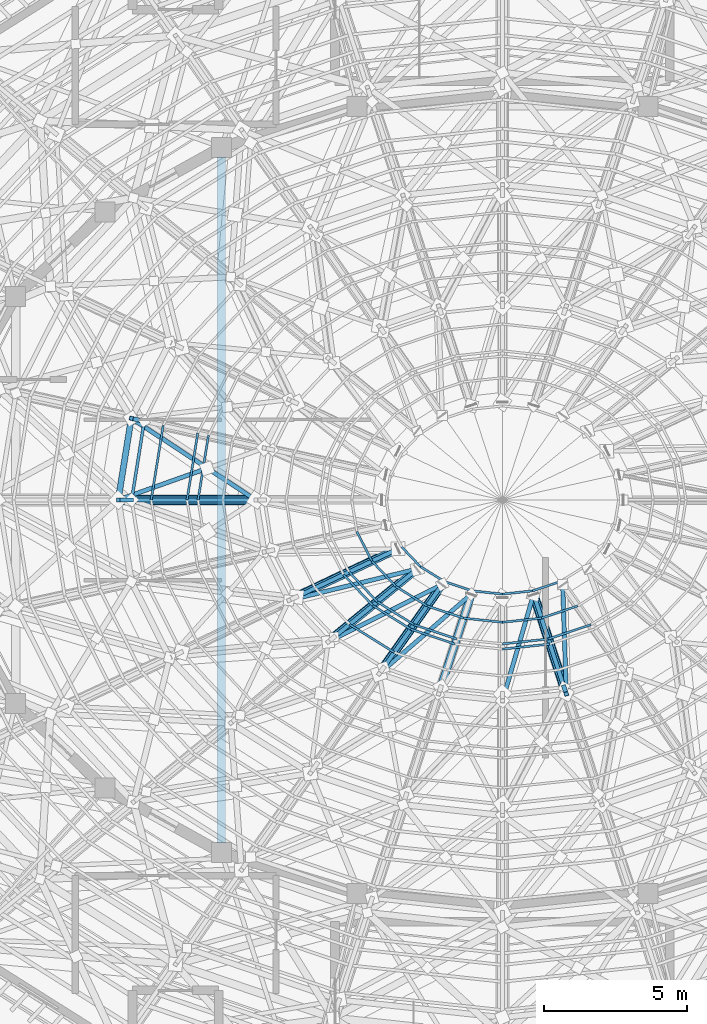
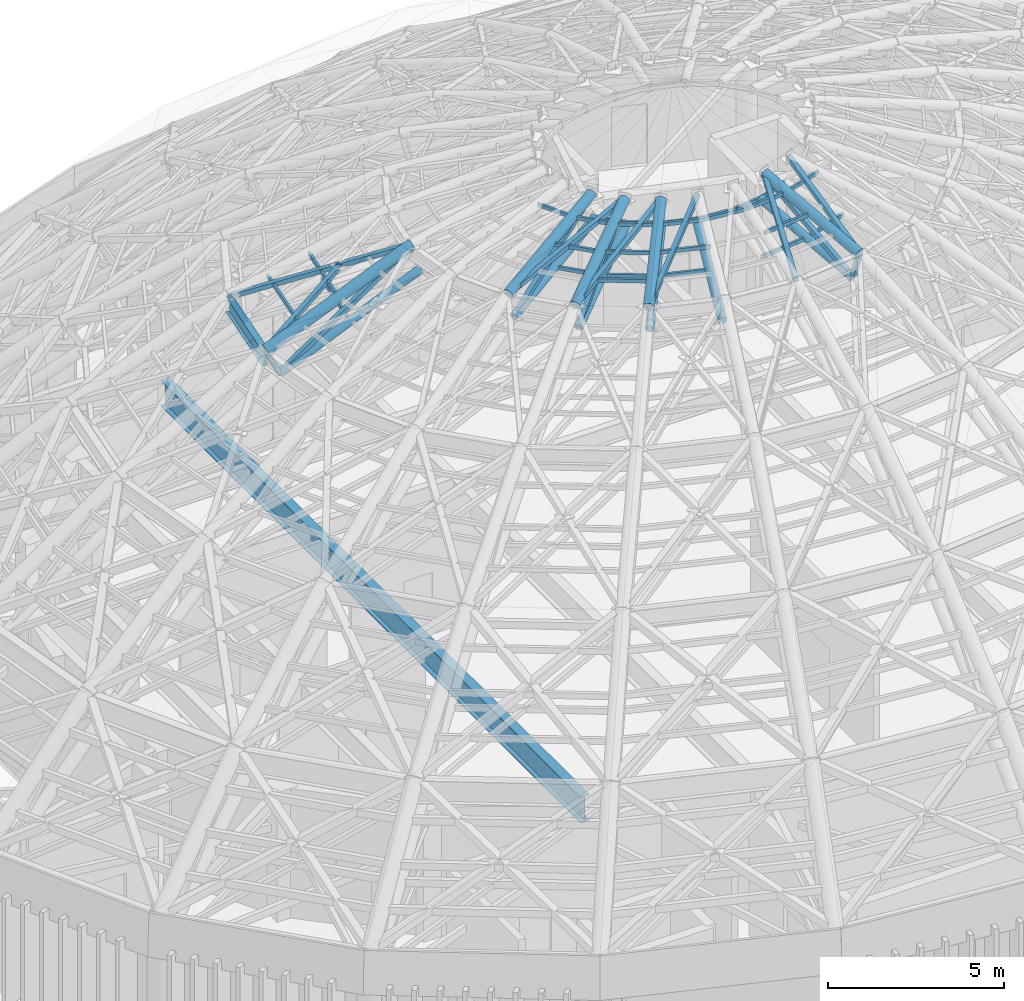
# One storey, part 11 of 50: 53 members, 2 beams.
"""IFC4 building model written with IfcOpenShell, lengths in metres."""

from ifc_helpers import new_model, si_unit, direction, frame, origin, origin_2d, place, context, subcontext, project, spatial, hollow_rectangle, hollow_circle, i_section, extrude, material, material_profile, profile_set, type_object, element, save


model = new_model("IFC4")

# Units and contexts
model_context = context("Model", 3, precision=1e-05, world=origin(), true_north=direction((0.0, 1.0)))
body_context = subcontext(model_context, "Body", "Model", "MODEL_VIEW")
ifc_project = project(units=[si_unit("LENGTHUNIT", "METRE"), si_unit("AREAUNIT", "SQUARE_METRE"), si_unit("VOLUMEUNIT", "CUBIC_METRE"), si_unit("PLANEANGLEUNIT", "RADIAN"), si_unit("MASSUNIT", "GRAM", prefix="KILO")], contexts=[model_context])

# Site, building, storey
site_placement = place(None, origin())
site = spatial("IfcSite", under=ifc_project, at=site_placement, CompositionType="ELEMENT")
building_placement = place(site_placement, origin())
building = spatial("IfcBuilding", under=site, at=building_placement, Name="Cinderbank Siding Concert Hall", CompositionType="ELEMENT")
storey_placement = place(building_placement, frame((0.0, 0.0, 23.699951171875)))
storey = spatial("IfcBuildingStorey", under=building, at=storey_placement, Name="L06", CompositionType="ELEMENT", Elevation=23.699951171875)

# Beams
ifc_material_1 = material(Name="Structural steel AS/NZS 3679.1 Grade 350 (340 MPa)", Category="steel")
ifc_material_profile_1 = material_profile(ifc_material_1, i_section(OverallWidth=0.208984375, OverallDepth=0.532958984375, WebThickness=0.01025390625, FlangeThickness=0.015625, at=origin_2d()), Name="530UB92.4", Category="LoadBearing")
ifc_profile_set_1 = profile_set([ifc_material_profile_1], Name="Structural steel AS/NZS 3679.1 Grade 350 (340 MPa)")
beam_type_1 = type_object("IfcBeamType", Name="BM-UB530H 530UB92.4", PredefinedType="BEAM", material=ifc_profile_set_1)
beam_1_placement = place(storey_placement, frame((109.056640625, 46.846923828125, 13.733642578125), z_axis=(-0.158340547868, -0.987384560797, 0.0), x_axis=(0.987384560797, -0.158340547868, 0.0)))
element("IfcBeam", 1, at=beam_1_placement, inside=storey, type_object=beam_type_1, Name="L06 Beam BM-UB530H #2081", PredefinedType="BEAM", context=body_context, shape_type="SweptSolid", body=[
    extrude(i_section(OverallWidth=0.208984375, OverallDepth=0.532958984375, WebThickness=0.01025390625, FlangeThickness=0.015625, at=origin_2d()), origin(), (0.0, 0.0, 1.0), 2.88330078125),
])
ifc_material_2 = material(Name="Structural steel welded plate section AS/NZS 3679.2 / AS/NZS 3678 Grade 350 (340 MPa)", Category="steel")
ifc_material_profile_2 = material_profile(ifc_material_2, i_section(OverallWidth=0.300048828125, OverallDepth=0.89990234375, WebThickness=0.013916015625, FlangeThickness=0.02490234375, at=origin_2d()), Name="900WB218", Category="LoadBearing")
ifc_profile_set_2 = profile_set([ifc_material_profile_2], Name="Structural steel welded plate section AS/NZS 3679.2 / AS/NZS 3678 Grade 350 (340 MPa)")
beam_type_2 = type_object("IfcBeamType", Name="BM-WB900 900WB218", PredefinedType="BEAM", material=ifc_profile_set_2)
beam_2_placement = place(storey_placement, frame((112.199951171875, 55.95556640625, 4.052001953125), z_axis=(0.0, -1.0, 0.0), x_axis=(1.0, 0.0, 0.0)))
element("IfcBeam", 2, at=beam_2_placement, inside=storey, type_object=beam_type_2, Name="L06 Beam BM-WB900 #126", PredefinedType="BEAM", context=body_context, shape_type="SweptSolid", body=[
    extrude(i_section(OverallWidth=0.300048828125, OverallDepth=0.89990234375, WebThickness=0.013916015625, FlangeThickness=0.02490234375, at=origin_2d()), origin(), (0.0, 0.0, 1.0), 23.9111328125),
])

# Members
ifc_material_3 = material(Name="Structural steel hollow section AS/NZS 1163 Grade C350L0 (350 MPa)", Category="steel")
ifc_material_profile_3 = material_profile(ifc_material_3, hollow_rectangle(XDim=0.14990234375, YDim=0.14990234375, WallThickness=0.008056640625, at=origin_2d()), Name="150x150x8.0SHS", Category="LoadBearing")
ifc_profile_set_3 = profile_set([ifc_material_profile_3], Name="Structural steel hollow section AS/NZS 1163 Grade C350L0 (350 MPa)")
member_type_1 = type_object("IfcMemberType", Name="BR-SHS150 150x150x8.0SHS Roof Truss", PredefinedType="BRACE", material=ifc_profile_set_3)
member_1_placement = place(storey_placement, frame((109.509521484375, 46.747314453125, 13.050048828125), z_axis=(-0.428423947592, 0.09423017284, 0.898650986566), x_axis=(-0.214811563111, -0.976655513655, 0.0)))
element("IfcMember", 3, at=member_1_placement, inside=storey, type_object=member_type_1, Name="L06 Diagonal Brace BR-SHS150 #DWBV-BR-SHS150-L06-1529", PredefinedType="BRACE", context=body_context, shape_type="SweptSolid", body=[
    extrude(hollow_rectangle(XDim=0.14990234375, YDim=0.14990234375, WallThickness=0.008056640625, at=origin_2d()), origin(), (0.0, 0.0, 1.0), 1.05712890625),
])
member_2_placement = place(storey_placement, frame((109.056640625, 46.846923828125, 14.0), z_axis=(0.780464451769, -0.511579312652, 0.359390938105), x_axis=(0.548206587498, 0.836342954429, 0.0)))
element("IfcMember", 4, at=member_2_placement, inside=storey, type_object=member_type_1, Name="L06 Diagonal Brace BR-SHS150 #DBRO-BR-SHS150-L06-1533", PredefinedType="BRACE", context=body_context, shape_type="SweptSolid", body=[
    extrude(hollow_rectangle(XDim=0.14990234375, YDim=0.14990234375, WallThickness=0.008056640625, at=origin_2d()), origin(), (0.0, 0.0, 1.0), 5.56494140625),
])
member_3_placement = place(storey_placement, frame((108.60009765625, 44.0, 14.0), z_axis=(0.883612715031, 0.314312671052, 0.347039067905), x_axis=(-0.33514148895, 0.942167810098, 0.0)))
element("IfcMember", 5, at=member_3_placement, inside=storey, type_object=member_type_1, Name="L06 Diagonal Brace BR-SHS150 #DBRO-BR-SHS150-L06-1534", PredefinedType="BRACE", context=body_context, shape_type="SweptSolid", body=[
    extrude(hollow_rectangle(XDim=0.14990234375, YDim=0.14990234375, WallThickness=0.008056640625, at=origin_2d()), origin(), (0.0, 0.0, 1.0), 3.506103515625),
])
member_4_placement = place(storey_placement, frame((109.069091796875, 44.0, 13.050048828125), z_axis=(0.826482557098, 0.0, 0.562962328058), x_axis=(0.0, 1.0, 0.0)))
element("IfcMember", 6, at=member_4_placement, inside=storey, type_object=member_type_1, Name="L06 Diagonal Brace BR-SHS150 #DWBD-BR-SHS150-L06-1538", PredefinedType="BRACE", context=body_context, shape_type="SweptSolid", body=[
    extrude(hollow_rectangle(XDim=0.14990234375, YDim=0.14990234375, WallThickness=0.008056640625, at=origin_2d()), origin(), (0.0, 0.0, 1.0), 5.239990234375),
])
member_5_placement = place(storey_placement, frame((109.069091796875, 44.0, 13.050048828125), z_axis=(-0.442691107218, 0.0, 0.89667417917), x_axis=(0.0, -1.0, 0.0)))
element("IfcMember", 7, at=member_5_placement, inside=storey, type_object=member_type_1, Name="L06 Diagonal Brace BR-SHS150 #DWBV-BR-SHS150-L06-1541", PredefinedType="BRACE", context=body_context, shape_type="SweptSolid", body=[
    extrude(hollow_rectangle(XDim=0.14990234375, YDim=0.14990234375, WallThickness=0.008056640625, at=origin_2d()), origin(), (0.0, 0.0, 1.0), 1.059326171875),
])
member_6_placement = place(storey_placement, frame((114.81298828125, 40.62255859375, 15.050048828125), z_axis=(0.801455569163, 0.378734609059, 0.462848859303), x_axis=(-0.427254861709, 0.904131231153, 0.0)))
element("IfcMember", 8, at=member_6_placement, inside=storey, type_object=member_type_1, Name="L06 Diagonal Brace BR-SHS150 #DWBD-BR-SHS150-L06-1822", PredefinedType="BRACE", context=body_context, shape_type="SweptSolid", body=[
    extrude(hollow_rectangle(XDim=0.14990234375, YDim=0.14990234375, WallThickness=0.008056640625, at=origin_2d()), origin(), (0.0, 0.0, 1.0), 4.42919921875),
])
member_7_placement = place(storey_placement, frame((114.55224609375, 40.5, 16.0), z_axis=(0.944817527573, 0.231182044692, 0.232109245406), x_axis=(-0.237672958918, 0.971345234507, 0.0)))
element("IfcMember", 9, at=member_7_placement, inside=storey, type_object=member_type_1, Name="L06 Diagonal Brace BR-SHS150 #DBRO-BR-SHS150-L06-1829", PredefinedType="BRACE", context=body_context, shape_type="SweptSolid", body=[
    extrude(hollow_rectangle(XDim=0.14990234375, YDim=0.14990234375, WallThickness=0.008056640625, at=origin_2d()), origin(), (0.0, 0.0, 1.0), 4.739501953125),
])
member_8_placement = place(storey_placement, frame((116.131591796875, 39.223388671875, 15.050048828125), z_axis=(0.67884757642, 0.555576678184, 0.480104699672), x_axis=(-0.633344264796, 0.773870171444, 0.0)))
element("IfcMember", 10, at=member_8_placement, inside=storey, type_object=member_type_1, Name="L06 Diagonal Brace BR-SHS150 #DWBD-BR-SHS150-L06-1832", PredefinedType="BRACE", context=body_context, shape_type="SweptSolid", body=[
    extrude(hollow_rectangle(XDim=0.14990234375, YDim=0.14990234375, WallThickness=0.008056640625, at=origin_2d()), origin(), (0.0, 0.0, 1.0), 4.27001953125),
])
member_9_placement = place(storey_placement, frame((115.9189453125, 39.05029296875, 16.0), z_axis=(0.867091401896, 0.436736273995, 0.239612035873), x_axis=(-0.449840709475, 0.893108804177, 0.0)))
element("IfcMember", 11, at=member_9_placement, inside=storey, type_object=member_type_1, Name="L06 Diagonal Brace BR-SHS150 #DBRO-BR-SHS150-L06-1839", PredefinedType="BRACE", context=body_context, shape_type="SweptSolid", body=[
    extrude(hollow_rectangle(XDim=0.14990234375, YDim=0.14990234375, WallThickness=0.008056640625, at=origin_2d()), origin(), (0.0, 0.0, 1.0), 4.591064453125),
])
member_10_placement = place(storey_placement, frame((117.8505859375, 38.14990234375, 15.050048828125), z_axis=(0.499322174283, 0.707938193489, 0.4995006311), x_axis=(-0.817184743141, 0.576375828412, 0.0)))
element("IfcMember", 12, at=member_10_placement, inside=storey, type_object=member_type_1, Name="L06 Diagonal Brace BR-SHS150 #DWBD-BR-SHS150-L06-1842", PredefinedType="BRACE", context=body_context, shape_type="SweptSolid", body=[
    extrude(hollow_rectangle(XDim=0.14990234375, YDim=0.14990234375, WallThickness=0.008056640625, at=origin_2d()), origin(), (0.0, 0.0, 1.0), 4.104248046875),
])
member_11_placement = place(storey_placement, frame((117.699951171875, 37.937744140625, 16.0), z_axis=(0.732300351823, 0.633146850801, 0.250721479015), x_axis=(-0.654037282523, 0.756462314376, 0.0)))
element("IfcMember", 13, at=member_11_placement, inside=storey, type_object=member_type_1, Name="L06 Diagonal Brace BR-SHS150 #DBRO-BR-SHS150-L06-1849", PredefinedType="BRACE", context=body_context, shape_type="SweptSolid", body=[
    extrude(hollow_rectangle(XDim=0.14990234375, YDim=0.14990234375, WallThickness=0.008056640625, at=origin_2d()), origin(), (0.0, 0.0, 1.0), 4.3876953125),
])
member_12_placement = place(storey_placement, frame((122.0, 37.0, 16.0), z_axis=(0.270054991699, 0.923233821576, 0.273330591329), x_axis=(-0.959782176469, 0.280745745706, 0.0)))
element("IfcMember", 14, at=member_12_placement, inside=storey, type_object=member_type_1, Name="L06 Diagonal Brace BR-SHS150 #DBRO-BR-SHS150-L06-1869", PredefinedType="BRACE", context=body_context, shape_type="SweptSolid", body=[
    extrude(hollow_rectangle(XDim=0.14990234375, YDim=0.14990234375, WallThickness=0.008056640625, at=origin_2d()), origin(), (0.0, 0.0, 1.0), 4.02490234375),
])
member_13_placement = place(storey_placement, frame((124.14794921875, 37.47509765625, 15.050048828125), z_axis=(-0.266672743613, 0.814499309414, 0.515244139005), x_axis=(-0.950359410933, -0.311154286569, 0.0)))
element("IfcMember", 15, at=member_13_placement, inside=storey, type_object=member_type_1, Name="L06 Diagonal Brace BR-SHS150 #DWBD-BR-SHS150-L06-1872", PredefinedType="BRACE", context=body_context, shape_type="SweptSolid", body=[
    extrude(hollow_rectangle(XDim=0.14990234375, YDim=0.14990234375, WallThickness=0.008056640625, at=origin_2d()), origin(), (0.0, 0.0, 1.0), 3.978759765625),
])
member_14_placement = place(storey_placement, frame((124.14794921875, 37.47509765625, 15.050048828125), z_axis=(0.079303678381, -0.240894245615, 0.967305995549), x_axis=(0.949853023351, 0.312696712537, 0.0)))
element("IfcMember", 16, at=member_14_placement, inside=storey, type_object=member_type_1, Name="L06 Diagonal Brace BR-SHS150 #DWBV-BR-SHS150-L06-1875", PredefinedType="BRACE", context=body_context, shape_type="SweptSolid", body=[
    extrude(hollow_rectangle(XDim=0.14990234375, YDim=0.14990234375, WallThickness=0.008056640625, at=origin_2d()), origin(), (0.0, 0.0, 1.0), 0.982177734375),
])
member_15_placement = place(storey_placement, frame((124.225830078125, 37.238525390625, 16.0), z_axis=(-0.031636722796, 0.96040490133, 0.276805966828), x_axis=(-0.999457885555, -0.032923168163, 0.0)))
element("IfcMember", 17, at=member_15_placement, inside=storey, type_object=member_type_1, Name="L06 Diagonal Brace BR-SHS150 #DBRO-BR-SHS150-L06-1879", PredefinedType="BRACE", context=body_context, shape_type="SweptSolid", body=[
    extrude(hollow_rectangle(XDim=0.14990234375, YDim=0.14990234375, WallThickness=0.008056640625, at=origin_2d()), origin(), (0.0, 0.0, 1.0), 3.974365234375),
])
ifc_material_profile_4 = material_profile(ifc_material_3, hollow_circle(Radius=0.136474609375, WallThickness=0.00927734375, at=origin_2d()), Name="273.1x9.3CHS", Category="LoadBearing")
ifc_profile_set_4 = profile_set([ifc_material_profile_4], Name="Structural steel hollow section AS/NZS 1163 Grade C350L0 (350 MPa)")
member_type_2 = type_object("IfcMemberType", Name="DR-CHS273 273.1x9.3CHS Roof Truss", PredefinedType="RAFTER", material=ifc_profile_set_4)
member_16_placement = place(storey_placement, frame((109.069091796875, 44.0, 13.050048828125), z_axis=(0.918070358794, 0.0, 0.396417477295), x_axis=(0.0, 1.0, 0.0)))
element("IfcMember", 18, at=member_16_placement, inside=storey, type_object=member_type_2, Name="L06 Roof Truss Member DR-CHS273 #1537", PredefinedType="RAFTER", context=body_context, shape_type="SweptSolid", body=[
    extrude(hollow_circle(Radius=0.136474609375, WallThickness=0.00927734375, at=origin_2d()), origin(), (0.0, 0.0, 1.0), 5.045166015625),
])
member_17_placement = place(storey_placement, frame((114.81298828125, 40.62255859375, 15.050048828125), z_axis=(0.872810404073, 0.412326274815, 0.261130315434), x_axis=(-0.427146747319, 0.904182313615, 0.0)))
element("IfcMember", 19, at=member_17_placement, inside=storey, type_object=member_type_2, Name="L06 Roof Truss Member DR-CHS273 #1821", PredefinedType="RAFTER", context=body_context, shape_type="SweptSolid", body=[
    extrude(hollow_circle(Radius=0.136474609375, WallThickness=0.00927734375, at=origin_2d()), origin(), (0.0, 0.0, 1.0), 4.212890625),
])
member_18_placement = place(storey_placement, frame((116.131591796875, 39.223388671875, 15.050048828125), z_axis=(0.744597053616, 0.60921577114, 0.272821135436), x_axis=(-0.633237790257, 0.773957299203, 0.0)))
element("IfcMember", 20, at=member_18_placement, inside=storey, type_object=member_type_2, Name="L06 Roof Truss Member DR-CHS273 #1831", PredefinedType="RAFTER", context=body_context, shape_type="SweptSolid", body=[
    extrude(hollow_circle(Radius=0.136474609375, WallThickness=0.00927734375, at=origin_2d()), origin(), (0.0, 0.0, 1.0), 4.0322265625),
])
member_19_placement = place(storey_placement, frame((117.8505859375, 38.14990234375, 15.050048828125), z_axis=(0.552369154655, 0.782909426334, 0.286253641274), x_axis=(-0.817101975754, 0.576493157999, 0.0)))
element("IfcMember", 21, at=member_19_placement, inside=storey, type_object=member_type_2, Name="L06 Roof Truss Member DR-CHS273 #1841", PredefinedType="RAFTER", context=body_context, shape_type="SweptSolid", body=[
    extrude(hollow_circle(Radius=0.136474609375, WallThickness=0.00927734375, at=origin_2d()), origin(), (0.0, 0.0, 1.0), 3.843017578125),
])
for number, where, z_axis, x_axis, name in (
    (22, (119.85205078125, 37.47509765625, 15.050048828125), (0.297118000487, 0.90732879731, 0.297448058252), (-0.950343230625, 0.311203701786, 0.0), "L06 Roof Truss Member DR-CHS273 #1851"),
    (23, (124.14794921875, 37.47509765625, 15.050048828125), (-0.297118000487, 0.90732879731, 0.297448058252), (-0.950343230625, -0.311203701786, 0.0), "L06 Roof Truss Member DR-CHS273 #1871"),
):
    element("IfcMember", number, at=place(storey_placement, frame(where, z_axis=z_axis, x_axis=x_axis)), inside=storey, type_object=member_type_2, Name=name, PredefinedType="RAFTER", context=body_context, shape_type="SweptSolid", body=[
        extrude(hollow_circle(Radius=0.136474609375, WallThickness=0.00927734375, at=origin_2d()), origin(), (0.0, 0.0, 1.0), 3.698486328125),
    ])
ifc_material_profile_5 = material_profile(ifc_material_3, hollow_circle(Radius=0.161865234375, WallThickness=0.0126953125, at=origin_2d()), Name="323.9x12.7CHS", Category="LoadBearing")
ifc_profile_set_5 = profile_set([ifc_material_profile_5], Name="Structural steel hollow section AS/NZS 1163 Grade C350L0 (350 MPa)")
member_type_3 = type_object("IfcMemberType", Name="DR-CHS323 323.9x12.7CHS Roof Truss", PredefinedType="RAFTER", material=ifc_profile_set_5)
member_20_placement = place(storey_placement, frame((114.55224609375, 40.5, 16.0), z_axis=(0.874866085469, 0.413292769609, 0.252583489337), x_axis=(-0.427142831717, 0.904184163383, 0.0)))
element("IfcMember", 24, at=member_20_placement, inside=storey, type_object=member_type_3, Name="L06 Roof Truss Member DR-CHS323 #1820", PredefinedType="RAFTER", context=body_context, shape_type="SweptSolid", body=[
    extrude(hollow_circle(Radius=0.161865234375, WallThickness=0.0126953125, at=origin_2d()), origin(), (0.0, 0.0, 1.0), 4.323486328125),
])
member_21_placement = place(storey_placement, frame((115.9189453125, 39.05029296875, 16.0), z_axis=(0.746506757945, 0.61079435588, 0.26392785978), x_axis=(-0.633247788404, 0.773949118794, 0.0)))
element("IfcMember", 25, at=member_21_placement, inside=storey, type_object=member_type_3, Name="L06 Roof Truss Member DR-CHS323 #1830", PredefinedType="RAFTER", context=body_context, shape_type="SweptSolid", body=[
    extrude(hollow_circle(Radius=0.161865234375, WallThickness=0.0126953125, at=origin_2d()), origin(), (0.0, 0.0, 1.0), 4.1357421875),
])
member_22_placement = place(storey_placement, frame((117.699951171875, 37.937744140625, 16.0), z_axis=(0.553994203108, 0.785098843827, 0.276966114072), x_axis=(-0.817062588556, 0.576548980037, 0.0)))
element("IfcMember", 26, at=member_22_placement, inside=storey, type_object=member_type_3, Name="L06 Roof Truss Member DR-CHS323 #1840", PredefinedType="RAFTER", context=body_context, shape_type="SweptSolid", body=[
    extrude(hollow_circle(Radius=0.161865234375, WallThickness=0.0126953125, at=origin_2d()), origin(), (0.0, 0.0, 1.0), 3.939453125),
])
member_23_placement = place(storey_placement, frame((124.225830078125, 37.238525390625, 16.0), z_axis=(-0.298079462392, 0.910089564814, 0.287898624723), x_axis=(-0.950325499871, -0.311257842141, 0.0)))
element("IfcMember", 27, at=member_23_placement, inside=storey, type_object=member_type_3, Name="L06 Roof Truss Member DR-CHS323 #1870", PredefinedType="RAFTER", context=body_context, shape_type="SweptSolid", body=[
    extrude(hollow_circle(Radius=0.161865234375, WallThickness=0.0126953125, at=origin_2d()), origin(), (0.0, 0.0, 1.0), 3.788818359375),
])
ifc_material_profile_6 = material_profile(ifc_material_3, hollow_circle(Radius=0.177734375, WallThickness=0.0126953125, at=origin_2d()), Name="355.6x12.7CHS", Category="LoadBearing")
ifc_profile_set_6 = profile_set([ifc_material_profile_6], Name="Structural steel hollow section AS/NZS 1163 Grade C350L0 (350 MPa)")
member_type_4 = type_object("IfcMemberType", Name="DR-CHS355 355.6x12.7CHS Roof Truss", PredefinedType="RAFTER", material=ifc_profile_set_6)
member_24_placement = place(storey_placement, frame((108.60009765625, 44.0, 14.0), z_axis=(0.923071366561, 0.0, 0.384628719983), x_axis=(0.0, 1.0, 0.0)))
element("IfcMember", 28, at=member_24_placement, inside=storey, type_object=member_type_4, Name="L06 Roof Truss Member DR-CHS355 #1536", PredefinedType="RAFTER", context=body_context, shape_type="SweptSolid", body=[
    extrude(hollow_circle(Radius=0.177734375, WallThickness=0.0126953125, at=origin_2d()), origin(), (0.0, 0.0, 1.0), 5.19970703125),
])
ifc_material_profile_7 = material_profile(ifc_material_3, hollow_rectangle(XDim=0.074951171875, YDim=0.125, WallThickness=0.0048828125, at=origin_2d()), Name="125x75x5.0RHS", Category="LoadBearing")
ifc_profile_set_7 = profile_set([ifc_material_profile_7], Name="Structural steel hollow section AS/NZS 1163 Grade C350L0 (350 MPa)")
member_type_5 = type_object("IfcMemberType", Name="PR-RHS125 125x75x5.0RHS Roof Truss", PredefinedType="PURLIN", material=ifc_profile_set_7)
member_25_placement = place(storey_placement, frame((111.74658203125, 46.247802734375, 14.050048828125), z_axis=(-0.15881436208, -0.987308461625, 0.0), x_axis=(0.987308461625, -0.15881436208, 0.0)))
element("IfcMember", 29, at=member_25_placement, inside=storey, type_object=member_type_5, Name="L06 Roof Truss Member PR-RHS125 #1528", PredefinedType="PURLIN", context=body_context, shape_type="SweptSolid", body=[
    extrude(hollow_rectangle(XDim=0.074951171875, YDim=0.125, WallThickness=0.0048828125, at=origin_2d()), origin(), (0.0, 0.0, 1.0), 2.276611328125),
])
member_26_placement = place(storey_placement, frame((110.169189453125, 46.598388671875, 14.47998046875), z_axis=(-0.158544057457, -0.987351903753, 0.0), x_axis=(0.987351903753, -0.158544057457, 0.0)))
element("IfcMember", 30, at=member_26_placement, inside=storey, type_object=member_type_5, Name="L06 Roof Truss Member PR-RHS125 #1530", PredefinedType="PURLIN", context=body_context, shape_type="SweptSolid", body=[
    extrude(hollow_rectangle(XDim=0.074951171875, YDim=0.125, WallThickness=0.0048828125, at=origin_2d()), origin(), (0.0, 0.0, 1.0), 2.631591796875),
])
member_27_placement = place(storey_placement, frame((111.374755859375, 46.329345703125, 15.0), z_axis=(-0.158842014488, -0.987304013176, 0.0), x_axis=(0.987304013176, -0.158842014488, 0.0)))
element("IfcMember", 31, at=member_27_placement, inside=storey, type_object=member_type_5, Name="L06 Roof Truss Member PR-RHS125 #1531", PredefinedType="PURLIN", context=body_context, shape_type="SweptSolid", body=[
    extrude(hollow_rectangle(XDim=0.074951171875, YDim=0.125, WallThickness=0.0048828125, at=origin_2d()), origin(), (0.0, 0.0, 1.0), 2.359375),
])
member_28_placement = place(storey_placement, frame((116.923095703125, 42.896484375, 16.8359375), z_axis=(0.454723641281, -0.890632589826, 0.0), x_axis=(0.890632589826, 0.454723641281, 0.0)))
element("IfcMember", 32, at=member_28_placement, inside=storey, type_object=member_type_5, Name="L06 Roof Truss Member PR-RHS125 #1818", PredefinedType="PURLIN", context=body_context, shape_type="SweptSolid", body=[
    extrude(hollow_rectangle(XDim=0.074951171875, YDim=0.125, WallThickness=0.0048828125, at=origin_2d()), origin(), (0.0, 0.0, 1.0), 1.15478515625),
])
member_29_placement = place(storey_placement, frame((118.489990234375, 42.359619140625, 16.150146484375), z_axis=(0.687816964948, -0.725884166193, 0.0), x_axis=(0.725884166193, 0.687816964948, 0.0)))
element("IfcMember", 33, at=member_29_placement, inside=storey, type_object=member_type_5, Name="L06 Roof Truss Member PR-RHS125 #1823", PredefinedType="PURLIN", context=body_context, shape_type="SweptSolid", body=[
    extrude(hollow_rectangle(XDim=0.074951171875, YDim=0.125, WallThickness=0.0048828125, at=origin_2d()), origin(), (0.0, 0.0, 1.0), 0.936279296875),
])
member_30_placement = place(storey_placement, frame((116.6513671875, 41.490966796875, 15.60009765625), z_axis=(0.686663657378, -0.726975255175, 0.0), x_axis=(0.726975255175, 0.686663657378, 0.0)))
element("IfcMember", 34, at=member_30_placement, inside=storey, type_object=member_type_5, Name="L06 Roof Truss Member PR-RHS125 #1824", PredefinedType="PURLIN", context=body_context, shape_type="SweptSolid", body=[
    extrude(hollow_rectangle(XDim=0.074951171875, YDim=0.125, WallThickness=0.0048828125, at=origin_2d()), origin(), (0.0, 0.0, 1.0), 1.42919921875),
])
member_31_placement = place(storey_placement, frame((116.45751953125, 41.39990234375, 16.550048828125), z_axis=(0.686628372605, -0.727008581747, 0.0), x_axis=(0.727008581747, 0.686628372605, 0.0)))
element("IfcMember", 35, at=member_31_placement, inside=storey, type_object=member_type_5, Name="L06 Roof Truss Member PR-RHS125 #1827", PredefinedType="PURLIN", context=body_context, shape_type="SweptSolid", body=[
    extrude(hollow_rectangle(XDim=0.074951171875, YDim=0.125, WallThickness=0.0048828125, at=origin_2d()), origin(), (0.0, 0.0, 1.0), 1.481201171875),
])
member_32_placement = place(storey_placement, frame((117.4482421875, 41.867919921875, 16.8359375), z_axis=(0.687148281608, -0.726517198064, 0.0), x_axis=(0.726517198064, 0.687148281608, 0.0)))
element("IfcMember", 36, at=member_32_placement, inside=storey, type_object=member_type_5, Name="L06 Roof Truss Member PR-RHS125 #1828", PredefinedType="PURLIN", context=body_context, shape_type="SweptSolid", body=[
    extrude(hollow_rectangle(XDim=0.074951171875, YDim=0.125, WallThickness=0.0048828125, at=origin_2d()), origin(), (0.0, 0.0, 1.0), 1.215576171875),
])
member_33_placement = place(storey_placement, frame((119.134033203125, 41.679931640625, 16.150146484375), z_axis=(0.849521792441, -0.527553527301, 0.0), x_axis=(0.527553527301, 0.849521792441, 0.0)))
element("IfcMember", 37, at=member_33_placement, inside=storey, type_object=member_type_5, Name="L06 Roof Truss Member PR-RHS125 #1833", PredefinedType="PURLIN", context=body_context, shape_type="SweptSolid", body=[
    extrude(hollow_rectangle(XDim=0.074951171875, YDim=0.125, WallThickness=0.0048828125, at=origin_2d()), origin(), (0.0, 0.0, 1.0), 0.988037109375),
])
member_34_placement = place(storey_placement, frame((117.6328125, 40.451904296875, 15.60009765625), z_axis=(0.848580058355, -0.529066994398, 0.0), x_axis=(0.529066994398, 0.848580058355, 0.0)))
element("IfcMember", 38, at=member_34_placement, inside=storey, type_object=member_type_5, Name="L06 Roof Truss Member PR-RHS125 #1834", PredefinedType="PURLIN", context=body_context, shape_type="SweptSolid", body=[
    extrude(hollow_rectangle(XDim=0.074951171875, YDim=0.125, WallThickness=0.0048828125, at=origin_2d()), origin(), (0.0, 0.0, 1.0), 1.507568359375),
])
member_35_placement = place(storey_placement, frame((116.66552734375, 39.6611328125, 16.26416015625), z_axis=(0.848355564327, -0.529426894363, 0.0), x_axis=(0.529426894363, 0.848355564327, 0.0)))
element("IfcMember", 39, at=member_35_placement, inside=storey, type_object=member_type_5, Name="L06 Roof Truss Member PR-RHS125 #1836", PredefinedType="PURLIN", context=body_context, shape_type="SweptSolid", body=[
    extrude(hollow_rectangle(XDim=0.074951171875, YDim=0.125, WallThickness=0.0048828125, at=origin_2d()), origin(), (0.0, 0.0, 1.0), 1.841796875),
])
member_36_placement = place(storey_placement, frame((117.474609375, 40.322998046875, 16.550048828125), z_axis=(0.848568581374, -0.529085402091, 0.0), x_axis=(0.529085402091, 0.848568581374, 0.0)))
element("IfcMember", 40, at=member_36_placement, inside=storey, type_object=member_type_5, Name="L06 Roof Truss Member PR-RHS125 #1837", PredefinedType="PURLIN", context=body_context, shape_type="SweptSolid", body=[
    extrude(hollow_rectangle(XDim=0.074951171875, YDim=0.125, WallThickness=0.0048828125, at=origin_2d()), origin(), (0.0, 0.0, 1.0), 1.56201171875),
])
member_37_placement = place(storey_placement, frame((118.283447265625, 40.98486328125, 16.8359375), z_axis=(0.849012948189, -0.528372041091, 0.0), x_axis=(0.528372041091, 0.849012948189, 0.0)))
element("IfcMember", 41, at=member_37_placement, inside=storey, type_object=member_type_5, Name="L06 Roof Truss Member PR-RHS125 #1838", PredefinedType="PURLIN", context=body_context, shape_type="SweptSolid", body=[
    extrude(hollow_rectangle(XDim=0.074951171875, YDim=0.125, WallThickness=0.0048828125, at=origin_2d()), origin(), (0.0, 0.0, 1.0), 1.2822265625),
])
member_38_placement = place(storey_placement, frame((119.973388671875, 41.15869140625, 16.150146484375), z_axis=(0.948089671773, -0.318003104194, 0.0), x_axis=(0.318003104194, 0.948089671773, 0.0)))
element("IfcMember", 42, at=member_38_placement, inside=storey, type_object=member_type_5, Name="L06 Roof Truss Member PR-RHS125 #1843", PredefinedType="PURLIN", context=body_context, shape_type="SweptSolid", body=[
    extrude(hollow_rectangle(XDim=0.074951171875, YDim=0.125, WallThickness=0.0048828125, at=origin_2d()), origin(), (0.0, 0.0, 1.0), 1.031005859375),
])
member_39_placement = place(storey_placement, frame((118.912109375, 39.654296875, 15.60009765625), z_axis=(0.947778428506, -0.318929538391, 0.0), x_axis=(0.318929538391, 0.947778428506, 0.0)))
element("IfcMember", 43, at=member_39_placement, inside=storey, type_object=member_type_5, Name="L06 Roof Truss Member PR-RHS125 #1844", PredefinedType="PURLIN", context=body_context, shape_type="SweptSolid", body=[
    extrude(hollow_rectangle(XDim=0.074951171875, YDim=0.125, WallThickness=0.0048828125, at=origin_2d()), origin(), (0.0, 0.0, 1.0), 1.571533203125),
])
member_40_placement = place(storey_placement, frame((118.800048828125, 39.49658203125, 16.550048828125), z_axis=(0.947795058073, -0.318880115236, 0.0), x_axis=(0.318880115236, 0.947795058073, 0.0)))
element("IfcMember", 44, at=member_40_placement, inside=storey, type_object=member_type_5, Name="L06 Roof Truss Member PR-RHS125 #1847", PredefinedType="PURLIN", context=body_context, shape_type="SweptSolid", body=[
    extrude(hollow_rectangle(XDim=0.074951171875, YDim=0.125, WallThickness=0.0048828125, at=origin_2d()), origin(), (0.0, 0.0, 1.0), 1.62841796875),
])
member_41_placement = place(storey_placement, frame((119.3720703125, 40.307373046875, 16.8359375), z_axis=(0.947895330421, -0.318581924419, 0.0), x_axis=(0.318581924419, 0.947895330421, 0.0)))
element("IfcMember", 45, at=member_41_placement, inside=storey, type_object=member_type_5, Name="L06 Roof Truss Member PR-RHS125 #1848", PredefinedType="PURLIN", context=body_context, shape_type="SweptSolid", body=[
    extrude(hollow_rectangle(XDim=0.074951171875, YDim=0.125, WallThickness=0.0048828125, at=origin_2d()), origin(), (0.0, 0.0, 1.0), 1.337158203125),
])
member_42_placement = place(storey_placement, frame((120.950927734375, 40.830810546875, 16.150146484375), z_axis=(0.994367658142, -0.105985661491, 0.0), x_axis=(0.105985661491, 0.994367658142, 0.0)))
element("IfcMember", 46, at=member_42_placement, inside=storey, type_object=member_type_5, Name="L06 Roof Truss Member PR-RHS125 #1853", PredefinedType="PURLIN", context=body_context, shape_type="SweptSolid", body=[
    extrude(hollow_rectangle(XDim=0.074951171875, YDim=0.125, WallThickness=0.0048828125, at=origin_2d()), origin(), (0.0, 0.0, 1.0), 1.054931640625),
])
member_43_placement = place(storey_placement, frame((120.6396484375, 39.88134765625, 16.8359375), z_axis=(0.994346897499, -0.106180259155, 0.0), x_axis=(0.106180259155, 0.994346897499, 0.0)))
element("IfcMember", 47, at=member_43_placement, inside=storey, type_object=member_type_5, Name="L06 Roof Truss Member PR-RHS125 #1858", PredefinedType="PURLIN", context=body_context, shape_type="SweptSolid", body=[
    extrude(hollow_rectangle(XDim=0.074951171875, YDim=0.125, WallThickness=0.0048828125, at=origin_2d()), origin(), (0.0, 0.0, 1.0), 1.3681640625),
])
member_44_placement = place(storey_placement, frame((122.0, 40.718994140625, 16.150146484375), z_axis=(0.994367658142, 0.105985661491, 0.0), x_axis=(-0.105985661491, 0.994367658142, 0.0)))
element("IfcMember", 48, at=member_44_placement, inside=storey, type_object=member_type_5, Name="L06 Roof Truss Member PR-RHS125 #1863", PredefinedType="PURLIN", context=body_context, shape_type="SweptSolid", body=[
    extrude(hollow_rectangle(XDim=0.074951171875, YDim=0.125, WallThickness=0.0048828125, at=origin_2d()), origin(), (0.0, 0.0, 1.0), 1.054931640625),
])
member_45_placement = place(storey_placement, frame((122.0, 38.98193359375, 15.60009765625), z_axis=(0.994316620671, 0.106463410889, 0.0), x_axis=(-0.106463410889, 0.994316620671, 0.0)))
element("IfcMember", 49, at=member_45_placement, inside=storey, type_object=member_type_5, Name="L06 Roof Truss Member PR-RHS125 #1864", PredefinedType="PURLIN", context=body_context, shape_type="SweptSolid", body=[
    extrude(hollow_rectangle(XDim=0.074951171875, YDim=0.125, WallThickness=0.0048828125, at=origin_2d()), origin(), (0.0, 0.0, 1.0), 1.607421875),
])
member_46_placement = place(storey_placement, frame((122.0, 38.800048828125, 16.550048828125), z_axis=(0.994324113007, 0.106393412829, 0.0), x_axis=(-0.106393412829, 0.994324113007, 0.0)))
element("IfcMember", 50, at=member_46_placement, inside=storey, type_object=member_type_5, Name="L06 Roof Truss Member PR-RHS125 #1867", PredefinedType="PURLIN", context=body_context, shape_type="SweptSolid", body=[
    extrude(hollow_rectangle(XDim=0.074951171875, YDim=0.125, WallThickness=0.0048828125, at=origin_2d()), origin(), (0.0, 0.0, 1.0), 1.666015625),
])
member_47_placement = place(storey_placement, frame((122.0, 39.736083984375, 16.8359375), z_axis=(0.994346897499, 0.106180259155, 0.0), x_axis=(-0.106180259155, 0.994346897499, 0.0)))
element("IfcMember", 51, at=member_47_placement, inside=storey, type_object=member_type_5, Name="L06 Roof Truss Member PR-RHS125 #1868", PredefinedType="PURLIN", context=body_context, shape_type="SweptSolid", body=[
    extrude(hollow_rectangle(XDim=0.074951171875, YDim=0.125, WallThickness=0.0048828125, at=origin_2d()), origin(), (0.0, 0.0, 1.0), 1.3681640625),
])
member_48_placement = place(storey_placement, frame((123.049072265625, 40.830810546875, 16.150146484375), z_axis=(0.948089671773, 0.318003104194, 0.0), x_axis=(-0.318003104194, 0.948089671773, 0.0)))
element("IfcMember", 52, at=member_48_placement, inside=storey, type_object=member_type_5, Name="L06 Roof Truss Member PR-RHS125 #1873", PredefinedType="PURLIN", context=body_context, shape_type="SweptSolid", body=[
    extrude(hollow_rectangle(XDim=0.074951171875, YDim=0.125, WallThickness=0.0048828125, at=origin_2d()), origin(), (0.0, 0.0, 1.0), 1.031005859375),
])
member_49_placement = place(storey_placement, frame((123.598388671875, 39.153076171875, 15.60009765625), z_axis=(0.947778428506, 0.318929538391, 0.0), x_axis=(-0.318929538391, 0.947778428506, 0.0)))
element("IfcMember", 53, at=member_49_placement, inside=storey, type_object=member_type_5, Name="L06 Roof Truss Member PR-RHS125 #1874", PredefinedType="PURLIN", context=body_context, shape_type="SweptSolid", body=[
    extrude(hollow_rectangle(XDim=0.074951171875, YDim=0.125, WallThickness=0.0048828125, at=origin_2d()), origin(), (0.0, 0.0, 1.0), 1.571533203125),
])
member_50_placement = place(storey_placement, frame((123.3603515625, 39.88134765625, 16.8359375), z_axis=(0.947895330421, 0.318581924419, 0.0), x_axis=(-0.318581924419, 0.947895330421, 0.0)))
element("IfcMember", 54, at=member_50_placement, inside=storey, type_object=member_type_5, Name="L06 Roof Truss Member PR-RHS125 #1878", PredefinedType="PURLIN", context=body_context, shape_type="SweptSolid", body=[
    extrude(hollow_rectangle(XDim=0.074951171875, YDim=0.125, WallThickness=0.0048828125, at=origin_2d()), origin(), (0.0, 0.0, 1.0), 1.337158203125),
])
ifc_material_profile_8 = material_profile(ifc_material_3, hollow_rectangle(XDim=0.10009765625, YDim=0.199951171875, WallThickness=0.008056640625, at=origin_2d()), Name="200x100x8.0RHS", Category="LoadBearing")
ifc_profile_set_8 = profile_set([ifc_material_profile_8], Name="Structural steel hollow section AS/NZS 1163 Grade C350L0 (350 MPa)")
member_type_6 = type_object("IfcMemberType", Name="PR-RHS200 200x100x8.0RHS Roof Truss", PredefinedType="PURLIN", material=ifc_profile_set_8)
member_51_placement = place(storey_placement, frame((109.509521484375, 46.747314453125, 13.050048828125), z_axis=(-0.15829164601, -0.987392401633, 0.0), x_axis=(0.987392401633, -0.15829164601, 0.0)))
element("IfcMember", 55, at=member_51_placement, inside=storey, type_object=member_type_6, Name="L06 Roof Truss Member PR-RHS200 #1239", PredefinedType="PURLIN", context=body_context, shape_type="SweptSolid", body=[
    extrude(hollow_rectangle(XDim=0.10009765625, YDim=0.199951171875, WallThickness=0.008056640625, at=origin_2d()), origin(), (0.0, 0.0, 1.0), 2.782470703125),
])

save(model, "model.ifc")
